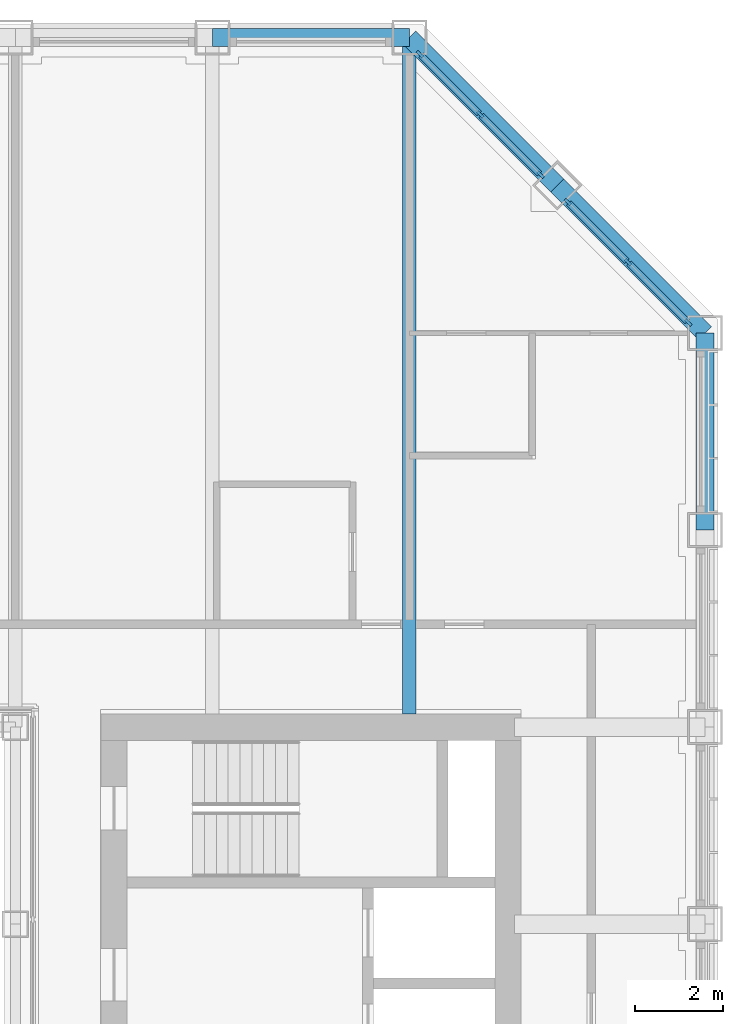
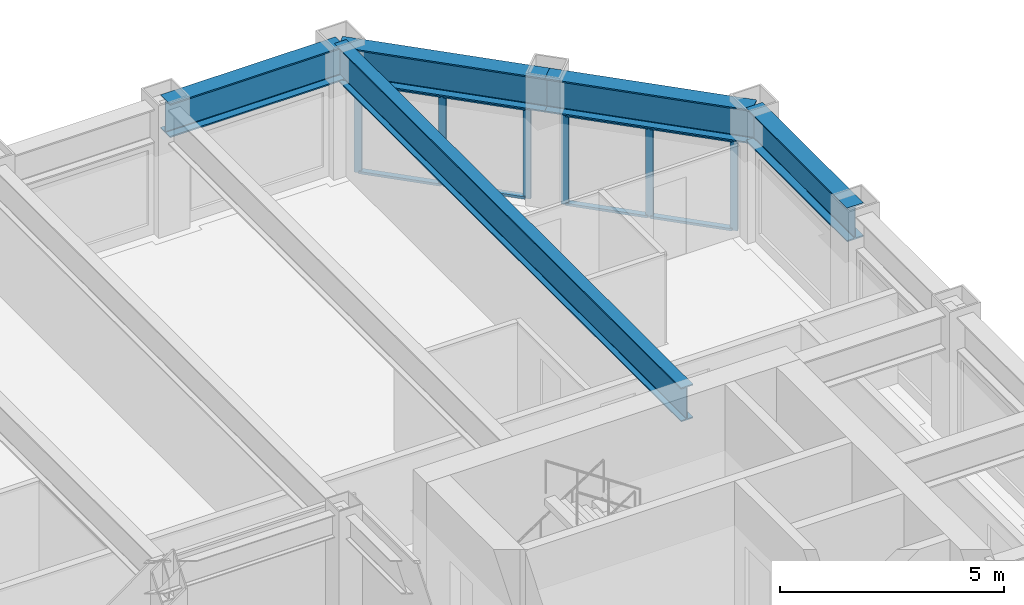
# One storey, part 8 of 17: 14 members, 5 beams, 2 elements without a shape of their own.
"""IFC4 building model written with IfcOpenShell, lengths in metres."""

from ifc_helpers import new_model, si_unit, direction, frame, origin, origin_2d, place, context, subcontext, project, spatial, rectangle, i_section, extrude, material, material_profile, profile_set, type_object, element, aggregate, save


model = new_model("IFC4")

# Units and contexts
model_context = context("Model", 3, precision=1e-05, world=origin(), true_north=direction((0.0, 1.0)))
body_context = subcontext(model_context, "Body", "Model", "MODEL_VIEW")
ifc_project = project(units=[si_unit("LENGTHUNIT", "METRE"), si_unit("AREAUNIT", "SQUARE_METRE"), si_unit("VOLUMEUNIT", "CUBIC_METRE"), si_unit("PLANEANGLEUNIT", "RADIAN"), si_unit("MASSUNIT", "GRAM", prefix="KILO")], contexts=[model_context])

# Site, building, storey
site_placement = place(None, origin())
site = spatial("IfcSite", under=ifc_project, at=site_placement, CompositionType="ELEMENT")
building_placement = place(site_placement, origin())
building = spatial("IfcBuilding", under=site, at=building_placement, Name="Msasa Ring Tower", CompositionType="ELEMENT")
storey_placement = place(building_placement, frame((0.0, 0.0, 165.199951171875)))
storey = spatial("IfcBuildingStorey", under=building, at=storey_placement, Name="L43", CompositionType="ELEMENT", Elevation=165.199951171875)

# Curtain wall, members
ifc_material_1 = material(Name="Aluminium curtain wall with clear glass", Category="aluminium")
curtain_wall_type = type_object("IfcCurtainWallType", Name="CW-C CHAMFER CORNER CURTAIN WALL", PredefinedType="NOTDEFINED", material=ifc_material_1)
curtain_wall_1_placement = place(storey_placement, origin())
curtain_wall_1 = element("IfcCurtainWall", 1, at=curtain_wall_1_placement, inside=storey, type_object=curtain_wall_type, Name="Chamfer corner curtain wall NE L43", PredefinedType="NOTDEFINED")
ifc_material_2 = material(Name="Aluminium mullion", Category="aluminium")
ifc_material_profile_1 = material_profile(ifc_material_2, rectangle(XDim=0.06494140625, YDim=0.179931640625, at=origin_2d()), Name="AL 65x180")
ifc_profile_set_1 = profile_set([ifc_material_profile_1], Name="Aluminium mullion")
member_type_1 = type_object("IfcMemberType", Name="CW-C MULLION 65x180", PredefinedType="MULLION", material=ifc_profile_set_1)
member_1_placement = place(storey_placement, frame((18.744873046875, 19.36376953125, 0.0), z_axis=(0.0, 0.0, 1.0), x_axis=(-0.707106781187, -0.707106781187, 0.0)))
member_1 = element("IfcMember", 2, at=member_1_placement, type_object=member_type_1, Name="CW-C mullion 1", PredefinedType="MULLION", context=body_context, shape_type="SweptSolid", body=[
    extrude(rectangle(XDim=0.06494140625, YDim=0.179931640625, at=origin_2d()), origin(), (0.0, 0.0, 1.0), 2.47900390625),
])
member_2_placement = place(storey_placement, frame((17.36669921875, 20.74169921875, 0.0), z_axis=(0.0, 0.0, 1.0), x_axis=(-0.707106781187, -0.707106781187, 0.0)))
member_2 = element("IfcMember", 3, at=member_2_placement, type_object=member_type_1, Name="CW-C mullion 2", PredefinedType="MULLION", context=body_context, shape_type="SweptSolid", body=[
    extrude(rectangle(XDim=0.06494140625, YDim=0.179931640625, at=origin_2d()), origin(), (0.0, 0.0, 1.0), 2.47900390625),
])
member_3_placement = place(storey_placement, frame((15.98876953125, 22.119873046875, 0.0), z_axis=(0.0, 0.0, 1.0), x_axis=(-0.707106781187, -0.707106781187, 0.0)))
member_3 = element("IfcMember", 4, at=member_3_placement, type_object=member_type_1, Name="CW-C mullion 3", PredefinedType="MULLION", context=body_context, shape_type="SweptSolid", body=[
    extrude(rectangle(XDim=0.06494140625, YDim=0.179931640625, at=origin_2d()), origin(), (0.0, 0.0, 1.0), 2.47900390625),
])

curtain_wall_2_placement = place(storey_placement, origin())
curtain_wall_2 = element("IfcCurtainWall", 5, at=curtain_wall_2_placement, inside=storey, type_object=curtain_wall_type, Name="Chamfer corner curtain wall NE L43", PredefinedType="NOTDEFINED")
member_4_placement = place(storey_placement, frame((22.119873046875, 15.98876953125, 0.0), z_axis=(0.0, 0.0, 1.0), x_axis=(-0.707106781187, -0.707106781187, 0.0)))
member_4 = element("IfcMember", 6, at=member_4_placement, type_object=member_type_1, Name="CW-C mullion 1", PredefinedType="MULLION", context=body_context, shape_type="SweptSolid", body=[
    extrude(rectangle(XDim=0.06494140625, YDim=0.179931640625, at=origin_2d()), origin(), (0.0, 0.0, 1.0), 2.47900390625),
])
member_5_placement = place(storey_placement, frame((20.74169921875, 17.36669921875, 0.0), z_axis=(0.0, 0.0, 1.0), x_axis=(-0.707106781187, -0.707106781187, 0.0)))
member_5 = element("IfcMember", 7, at=member_5_placement, type_object=member_type_1, Name="CW-C mullion 2", PredefinedType="MULLION", context=body_context, shape_type="SweptSolid", body=[
    extrude(rectangle(XDim=0.06494140625, YDim=0.179931640625, at=origin_2d()), origin(), (0.0, 0.0, 1.0), 2.47900390625),
])
member_6_placement = place(storey_placement, frame((19.36376953125, 18.744873046875, 0.0), z_axis=(0.0, 0.0, 1.0), x_axis=(-0.707106781187, -0.707106781187, 0.0)))
member_6 = element("IfcMember", 8, at=member_6_placement, type_object=member_type_1, Name="CW-C mullion 3", PredefinedType="MULLION", context=body_context, shape_type="SweptSolid", body=[
    extrude(rectangle(XDim=0.06494140625, YDim=0.179931640625, at=origin_2d()), origin(), (0.0, 0.0, 1.0), 2.47900390625),
])

# Member
ifc_material_3 = material(Name="Aluminium transom", Category="aluminium")
ifc_material_profile_2 = material_profile(ifc_material_3, rectangle(XDim=0.139892578125, YDim=0.06494140625, at=origin_2d()), Name="AL 65x140")
ifc_profile_set_2 = profile_set([ifc_material_profile_2], Name="Aluminium transom")
member_type_2 = type_object("IfcMemberType", Name="CW-C TRANSOM 65x140", PredefinedType="USERDEFINED", material=ifc_profile_set_2)
member_7_placement = place(storey_placement, frame((18.721923828125, 19.38671875, 0.032470703125), z_axis=(-0.707106781187, 0.707106781187, 0.0), x_axis=(-0.707106781187, -0.707106781187, 0.0)))
member_7 = element("IfcMember", 9, at=member_7_placement, type_object=member_type_2, Name="CW-C transom 1.1", ObjectType="TRANSOM", PredefinedType="USERDEFINED", context=body_context, shape_type="SweptSolid", body=[
    extrude(rectangle(XDim=0.139892578125, YDim=0.06494140625, at=origin_2d()), origin(), (0.0, 0.0, 1.0), 1.8837890625),
])

member_8_placement = place(storey_placement, frame((18.721923828125, 19.38671875, 2.446533203125), z_axis=(-0.707106781187, 0.707106781187, 0.0), x_axis=(-0.707106781187, -0.707106781187, 0.0)))
member_8 = element("IfcMember", 10, at=member_8_placement, type_object=member_type_2, Name="CW-C transom 1.2", ObjectType="TRANSOM", PredefinedType="USERDEFINED", context=body_context, shape_type="SweptSolid", body=[
    extrude(rectangle(XDim=0.139892578125, YDim=0.06494140625, at=origin_2d()), origin(), (0.0, 0.0, 1.0), 1.8837890625),
])

member_9_placement = place(storey_placement, frame((17.34375, 20.764892578125, 0.032470703125), z_axis=(-0.707106781187, 0.707106781187, 0.0), x_axis=(-0.707106781187, -0.707106781187, 0.0)))
member_9 = element("IfcMember", 11, at=member_9_placement, type_object=member_type_2, Name="CW-C transom 2.1", ObjectType="TRANSOM", PredefinedType="USERDEFINED", context=body_context, shape_type="SweptSolid", body=[
    extrude(rectangle(XDim=0.139892578125, YDim=0.06494140625, at=origin_2d()), origin(), (0.0, 0.0, 1.0), 1.8837890625),
])

member_10_placement = place(storey_placement, frame((17.34375, 20.764892578125, 2.446533203125), z_axis=(-0.707106781187, 0.707106781187, 0.0), x_axis=(-0.707106781187, -0.707106781187, 0.0)))
member_10 = element("IfcMember", 12, at=member_10_placement, type_object=member_type_2, Name="CW-C transom 2.2", ObjectType="TRANSOM", PredefinedType="USERDEFINED", context=body_context, shape_type="SweptSolid", body=[
    extrude(rectangle(XDim=0.139892578125, YDim=0.06494140625, at=origin_2d()), origin(), (0.0, 0.0, 1.0), 1.8837890625),
])

aggregate(curtain_wall_1, [member_1, member_2, member_3, member_7, member_8, member_9, member_10])

member_11_placement = place(storey_placement, frame((22.096923828125, 16.01171875, 0.032470703125), z_axis=(-0.707106781187, 0.707106781187, 0.0), x_axis=(-0.707106781187, -0.707106781187, 0.0)))
member_11 = element("IfcMember", 13, at=member_11_placement, type_object=member_type_2, Name="CW-C transom 1.1", ObjectType="TRANSOM", PredefinedType="USERDEFINED", context=body_context, shape_type="SweptSolid", body=[
    extrude(rectangle(XDim=0.139892578125, YDim=0.06494140625, at=origin_2d()), origin(), (0.0, 0.0, 1.0), 1.8837890625),
])

member_12_placement = place(storey_placement, frame((22.096923828125, 16.01171875, 2.446533203125), z_axis=(-0.707106781187, 0.707106781187, 0.0), x_axis=(-0.707106781187, -0.707106781187, 0.0)))
member_12 = element("IfcMember", 14, at=member_12_placement, type_object=member_type_2, Name="CW-C transom 1.2", ObjectType="TRANSOM", PredefinedType="USERDEFINED", context=body_context, shape_type="SweptSolid", body=[
    extrude(rectangle(XDim=0.139892578125, YDim=0.06494140625, at=origin_2d()), origin(), (0.0, 0.0, 1.0), 1.8837890625),
])

member_13_placement = place(storey_placement, frame((20.71875, 17.389892578125, 0.032470703125), z_axis=(-0.707106781187, 0.707106781187, 0.0), x_axis=(-0.707106781187, -0.707106781187, 0.0)))
member_13 = element("IfcMember", 15, at=member_13_placement, type_object=member_type_2, Name="CW-C transom 2.1", ObjectType="TRANSOM", PredefinedType="USERDEFINED", context=body_context, shape_type="SweptSolid", body=[
    extrude(rectangle(XDim=0.139892578125, YDim=0.06494140625, at=origin_2d()), origin(), (0.0, 0.0, 1.0), 1.8837890625),
])

member_14_placement = place(storey_placement, frame((20.71875, 17.389892578125, 2.446533203125), z_axis=(-0.707106781187, 0.707106781187, 0.0), x_axis=(-0.707106781187, -0.707106781187, 0.0)))
member_14 = element("IfcMember", 16, at=member_14_placement, type_object=member_type_2, Name="CW-C transom 2.2", ObjectType="TRANSOM", PredefinedType="USERDEFINED", context=body_context, shape_type="SweptSolid", body=[
    extrude(rectangle(XDim=0.139892578125, YDim=0.06494140625, at=origin_2d()), origin(), (0.0, 0.0, 1.0), 1.8837890625),
])

aggregate(curtain_wall_2, [member_4, member_5, member_6, member_11, member_12, member_13, member_14])

# Beams
ifc_material_4 = material(Name="Steel S355", Category="steel")
ifc_material_profile_3 = material_profile(ifc_material_4, i_section(OverallWidth=0.3076171875, OverallDepth=0.926513671875, WebThickness=0.01953125, FlangeThickness=0.031982421875, FilletRadius=0.01904296875, at=origin_2d()), Name="UB 914x305x289")
ifc_profile_set_3 = profile_set([ifc_material_profile_3], Name="Steel S355")
beam_type_1 = type_object("IfcBeamType", Name="FB3 UB 914x305x289", PredefinedType="BEAM", material=ifc_profile_set_3)
beam_1_placement = place(storey_placement, frame((15.75, 22.5, 2.936767578125), z_axis=(0.0, -1.0, 0.0), x_axis=(1.0, 0.0, 0.0)))
element("IfcBeam", 17, at=beam_1_placement, inside=storey, type_object=beam_type_1, Name="Floor beam N+15.75 under L44", PredefinedType="BEAM", context=body_context, shape_type="SweptSolid", body=[
    extrude(i_section(OverallWidth=0.3076171875, OverallDepth=0.926513671875, WebThickness=0.01953125, FlangeThickness=0.031982421875, FilletRadius=0.01904296875, at=origin_2d()), origin(), (0.0, 0.0, 1.0), 15.449951171875),
])
ifc_material_5 = material(Name="Steel S355", Category="steel")
ifc_material_profile_4 = material_profile(ifc_material_5, i_section(OverallWidth=0.42041015625, OverallDepth=0.9208984375, WebThickness=0.021484375, FlangeThickness=0.03662109375, FilletRadius=0.024169921875, at=origin_2d()), Name="UB 914x419x388")
ifc_profile_set_4 = profile_set([ifc_material_profile_4], Name="Steel S355")
beam_type_2 = type_object("IfcBeamType", Name="SB1 UB 914x419x388", PredefinedType="SPANDREL", material=ifc_profile_set_4)
beam_2_placement = place(storey_placement, frame((22.5, 11.25, 2.939453125), z_axis=(0.0, 1.0, 0.0), x_axis=(-1.0, 0.0, 0.0)))
element("IfcBeam", 18, at=beam_2_placement, inside=storey, type_object=beam_type_2, Name="Spandrel E+11.25 to E+15.75 under L44", PredefinedType="SPANDREL", context=body_context, shape_type="SweptSolid", body=[
    extrude(i_section(OverallWidth=0.42041015625, OverallDepth=0.9208984375, WebThickness=0.021484375, FlangeThickness=0.03662109375, FilletRadius=0.024169921875, at=origin_2d()), origin(), (0.0, 0.0, 1.0), 4.5),
])
for number, where, z_axis, x_axis, name in (
    (19, (22.5, 15.75, 2.939453125), (-0.707106781187, 0.707106781187, 0.0), (-0.707106781187, -0.707106781187, 0.0), "Spandrel E+15.75 to NE under L44"),
    (20, (19.125, 19.125, 2.939453125), (-0.707106781187, 0.707106781187, 0.0), (-0.707106781187, -0.707106781187, 0.0), "Spandrel NE to N+15.75 under L44"),
):
    element("IfcBeam", number, at=place(storey_placement, frame(where, z_axis=z_axis, x_axis=x_axis)), inside=storey, type_object=beam_type_2, Name=name, PredefinedType="SPANDREL", context=body_context, shape_type="SweptSolid", body=[
        extrude(i_section(OverallWidth=0.42041015625, OverallDepth=0.9208984375, WebThickness=0.021484375, FlangeThickness=0.03662109375, FilletRadius=0.024169921875, at=origin_2d()), origin(), (0.0, 0.0, 1.0), 4.77294921875),
    ])
beam_3_placement = place(storey_placement, frame((15.75, 22.5, 2.939453125), z_axis=(-1.0, 0.0, 0.0), x_axis=(0.0, -1.0, 0.0)))
element("IfcBeam", 21, at=beam_3_placement, inside=storey, type_object=beam_type_2, Name="Spandrel N+15.75 to N+11.25 under L44", PredefinedType="SPANDREL", context=body_context, shape_type="SweptSolid", body=[
    extrude(i_section(OverallWidth=0.42041015625, OverallDepth=0.9208984375, WebThickness=0.021484375, FlangeThickness=0.03662109375, FilletRadius=0.024169921875, at=origin_2d()), origin(), (0.0, 0.0, 1.0), 4.5),
])

save(model, "model.ifc")
